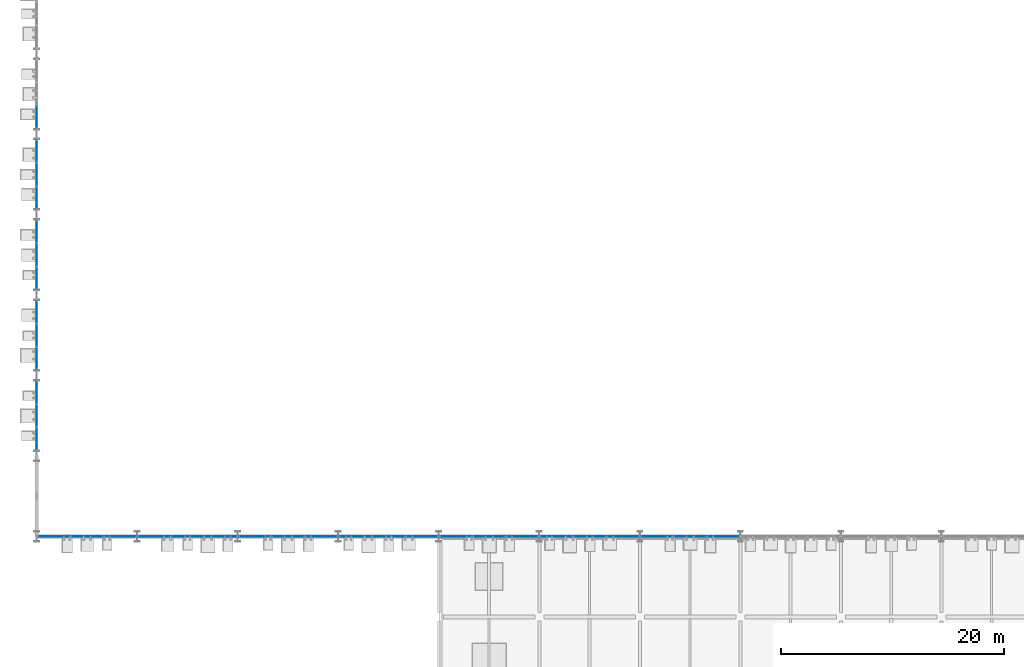
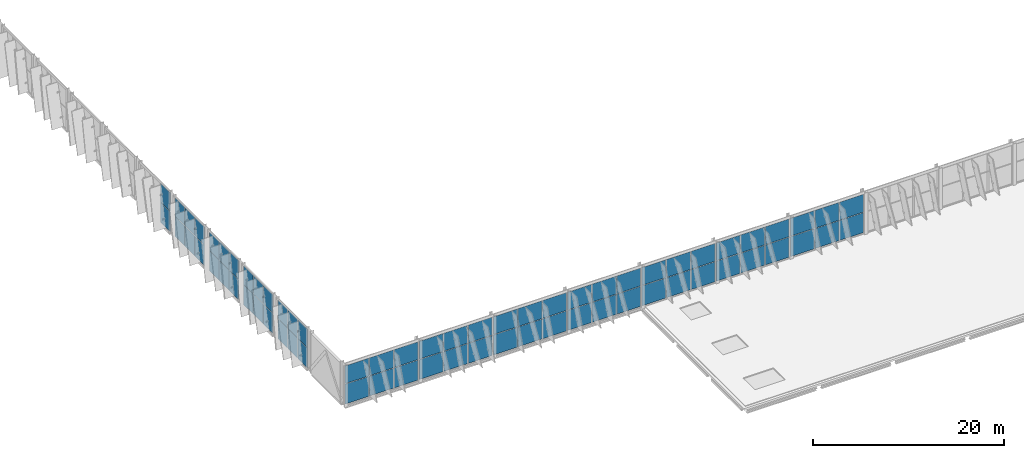
# One storey, part 112 of 189: 68 plates, 12 elements without a shape of their own.
"""IFC4 building model written with IfcOpenShell, lengths in metres."""

from ifc_helpers import new_model, si_unit, direction, frame, origin, origin_2d, place, context, subcontext, project, spatial, rectangle, extrude, material, layer, layer_set, type_object, element, aggregate, save


model = new_model("IFC4")

# Units and contexts
model_context = context("Model", 3, precision=1e-05, world=origin(), true_north=direction((0.0, 1.0)))
body_context = subcontext(model_context, "Body", "Model", "MODEL_VIEW")
ifc_project = project(units=[si_unit("LENGTHUNIT", "METRE"), si_unit("AREAUNIT", "SQUARE_METRE"), si_unit("VOLUMEUNIT", "CUBIC_METRE"), si_unit("PLANEANGLEUNIT", "RADIAN"), si_unit("MASSUNIT", "GRAM", prefix="KILO")], contexts=[model_context])

# Site, building, storey
site_placement = place(None, origin())
site = spatial("IfcSite", under=ifc_project, at=site_placement, CompositionType="ELEMENT")
building_placement = place(site_placement, origin())
building = spatial("IfcBuilding", under=site, at=building_placement, Name="Celestram Park Convention Centre", CompositionType="ELEMENT")
storey_placement = place(building_placement, frame((0.0, 0.0, 5.39990234375)))
storey = spatial("IfcBuildingStorey", under=building, at=storey_placement, Name="L01", CompositionType="ELEMENT", Elevation=5.39990234375)

# Curtain wall, plates
ifc_material_1 = material(Name="Anodised Aluminium Alloy 6063-T6", Category="aluminium")
ifc_layer_1 = layer(ifc_material_1, 0.179931640625)
ifc_layer_set_1 = layer_set([ifc_layer_1], Name="Anodised Aluminium Alloy 6063-T6")
curtain_wall_type_1 = type_object("IfcCurtainWallType", Name="ARC-CW-627X510", PredefinedType="NOTDEFINED", material=ifc_layer_set_1)
curtain_wall_1_placement = place(storey_placement, origin())
curtain_wall_1 = element("IfcCurtainWall", 1, at=curtain_wall_1_placement, inside=storey, type_object=curtain_wall_type_1, Name="Unitised curtain wall CU-L01-113", PredefinedType="NOTDEFINED")
ifc_material_2 = material(Name="Insulated Glazing Unit 28 mm", Category="glass")
ifc_layer_2 = layer(ifc_material_2, 0.028076171875)
ifc_layer_set_2 = layer_set([ifc_layer_2], Name="Insulated Glazing Unit 28 mm")
plate_type_1 = type_object("IfcPlateType", Name="ARC-CWP-IGU28", PredefinedType="CURTAIN_PANEL", material=ifc_layer_set_2)
plate_1_placement = place(storey_placement, frame((0.0, 30.32568359375, 0.06005859375), z_axis=(0.0, 0.0, 1.0), x_axis=(0.0, 1.0, 0.0)))
plate_1 = element("IfcPlate", 2, at=plate_1_placement, type_object=plate_type_1, Name="CW-62X51 panel 1.1", PredefinedType="CURTAIN_PANEL", context=body_context, shape_type="SweptSolid", body=[
    extrude(rectangle(XDim=1.9931640625, YDim=0.028076171875, at=origin_2d()), origin(), (0.0, 0.0, 1.0), 2.56005859375),
])
plate_2_placement = place(storey_placement, frame((0.0, 30.32568359375, 2.68017578125), z_axis=(0.0, 0.0, 1.0), x_axis=(0.0, 1.0, 0.0)))
plate_2 = element("IfcPlate", 3, at=plate_2_placement, type_object=plate_type_1, Name="CW-62X51 panel 1.2", PredefinedType="CURTAIN_PANEL", context=body_context, shape_type="SweptSolid", body=[
    extrude(rectangle(XDim=1.9931640625, YDim=0.028076171875, at=origin_2d()), origin(), (0.0, 0.0, 1.0), 2.360107421875),
])
plate_3_placement = place(storey_placement, frame((0.0, 32.39990234375, 0.06005859375), z_axis=(0.0, 0.0, 1.0), x_axis=(0.0, 1.0, 0.0)))
plate_3 = element("IfcPlate", 4, at=plate_3_placement, type_object=plate_type_1, Name="CW-62X51 panel 2.1", PredefinedType="CURTAIN_PANEL", context=body_context, shape_type="SweptSolid", body=[
    extrude(rectangle(XDim=2.025634765625, YDim=0.028076171875, at=origin_2d()), origin(), (0.0, 0.0, 1.0), 2.56005859375),
])
plate_4_placement = place(storey_placement, frame((0.0, 32.39990234375, 2.68017578125), z_axis=(0.0, 0.0, 1.0), x_axis=(0.0, 1.0, 0.0)))
plate_4 = element("IfcPlate", 5, at=plate_4_placement, type_object=plate_type_1, Name="CW-62X51 panel 2.2", PredefinedType="CURTAIN_PANEL", context=body_context, shape_type="SweptSolid", body=[
    extrude(rectangle(XDim=2.025634765625, YDim=0.028076171875, at=origin_2d()), origin(), (0.0, 0.0, 1.0), 2.360107421875),
])
plate_5_placement = place(storey_placement, frame((0.0, 34.474365234375, 0.06005859375), z_axis=(0.0, 0.0, 1.0), x_axis=(0.0, 1.0, 0.0)))
plate_5 = element("IfcPlate", 6, at=plate_5_placement, type_object=plate_type_1, Name="CW-62X51 panel 3.1", PredefinedType="CURTAIN_PANEL", context=body_context, shape_type="SweptSolid", body=[
    extrude(rectangle(XDim=1.9931640625, YDim=0.028076171875, at=origin_2d()), origin(), (0.0, 0.0, 1.0), 2.56005859375),
])
plate_6_placement = place(storey_placement, frame((0.0, 34.474365234375, 2.68017578125), z_axis=(0.0, 0.0, 1.0), x_axis=(0.0, 1.0, 0.0)))
plate_6 = element("IfcPlate", 7, at=plate_6_placement, type_object=plate_type_1, Name="CW-62X51 panel 3.2", PredefinedType="CURTAIN_PANEL", context=body_context, shape_type="SweptSolid", body=[
    extrude(rectangle(XDim=1.9931640625, YDim=0.028076171875, at=origin_2d()), origin(), (0.0, 0.0, 1.0), 2.360107421875),
])
aggregate(curtain_wall_1, [plate_1, plate_2, plate_3, plate_4, plate_5, plate_6])

curtain_wall_2_placement = place(storey_placement, origin())
curtain_wall_2 = element("IfcCurtainWall", 8, at=curtain_wall_2_placement, inside=storey, type_object=curtain_wall_type_1, Name="Unitised curtain wall CU-L01-114", PredefinedType="NOTDEFINED")
plate_7_placement = place(storey_placement, frame((0.0, 37.525634765625, 0.06005859375), z_axis=(0.0, 0.0, 1.0), x_axis=(0.0, 1.0, 0.0)))
plate_7 = element("IfcPlate", 9, at=plate_7_placement, type_object=plate_type_1, Name="CW-62X51 panel 1.1", PredefinedType="CURTAIN_PANEL", context=body_context, shape_type="SweptSolid", body=[
    extrude(rectangle(XDim=1.9931640625, YDim=0.028076171875, at=origin_2d()), origin(), (0.0, 0.0, 1.0), 2.56005859375),
])
plate_8_placement = place(storey_placement, frame((0.0, 37.525634765625, 2.68017578125), z_axis=(0.0, 0.0, 1.0), x_axis=(0.0, 1.0, 0.0)))
plate_8 = element("IfcPlate", 10, at=plate_8_placement, type_object=plate_type_1, Name="CW-62X51 panel 1.2", PredefinedType="CURTAIN_PANEL", context=body_context, shape_type="SweptSolid", body=[
    extrude(rectangle(XDim=1.9931640625, YDim=0.028076171875, at=origin_2d()), origin(), (0.0, 0.0, 1.0), 2.360107421875),
])
plate_9_placement = place(storey_placement, frame((0.0, 39.60009765625, 0.06005859375), z_axis=(0.0, 0.0, 1.0), x_axis=(0.0, 1.0, 0.0)))
plate_9 = element("IfcPlate", 11, at=plate_9_placement, type_object=plate_type_1, Name="CW-62X51 panel 2.1", PredefinedType="CURTAIN_PANEL", context=body_context, shape_type="SweptSolid", body=[
    extrude(rectangle(XDim=2.025634765625, YDim=0.028076171875, at=origin_2d()), origin(), (0.0, 0.0, 1.0), 2.56005859375),
])
plate_10_placement = place(storey_placement, frame((0.0, 39.60009765625, 2.68017578125), z_axis=(0.0, 0.0, 1.0), x_axis=(0.0, 1.0, 0.0)))
plate_10 = element("IfcPlate", 12, at=plate_10_placement, type_object=plate_type_1, Name="CW-62X51 panel 2.2", PredefinedType="CURTAIN_PANEL", context=body_context, shape_type="SweptSolid", body=[
    extrude(rectangle(XDim=2.025634765625, YDim=0.028076171875, at=origin_2d()), origin(), (0.0, 0.0, 1.0), 2.360107421875),
])
plate_11_placement = place(storey_placement, frame((0.0, 41.67431640625, 0.06005859375), z_axis=(0.0, 0.0, 1.0), x_axis=(0.0, 1.0, 0.0)))
plate_11 = element("IfcPlate", 13, at=plate_11_placement, type_object=plate_type_1, Name="CW-62X51 panel 3.1", PredefinedType="CURTAIN_PANEL", context=body_context, shape_type="SweptSolid", body=[
    extrude(rectangle(XDim=1.9931640625, YDim=0.028076171875, at=origin_2d()), origin(), (0.0, 0.0, 1.0), 2.56005859375),
])
plate_12_placement = place(storey_placement, frame((0.0, 41.67431640625, 2.68017578125), z_axis=(0.0, 0.0, 1.0), x_axis=(0.0, 1.0, 0.0)))
plate_12 = element("IfcPlate", 14, at=plate_12_placement, type_object=plate_type_1, Name="CW-62X51 panel 3.2", PredefinedType="CURTAIN_PANEL", context=body_context, shape_type="SweptSolid", body=[
    extrude(rectangle(XDim=1.9931640625, YDim=0.028076171875, at=origin_2d()), origin(), (0.0, 0.0, 1.0), 2.360107421875),
])
aggregate(curtain_wall_2, [plate_7, plate_8, plate_9, plate_10, plate_11, plate_12])

curtain_wall_3_placement = place(storey_placement, origin())
curtain_wall_3 = element("IfcCurtainWall", 15, at=curtain_wall_3_placement, inside=storey, type_object=curtain_wall_type_1, Name="Unitised curtain wall CU-L01-115", PredefinedType="NOTDEFINED")
plate_13_placement = place(storey_placement, frame((0.0, 44.7255859375, 0.06005859375), z_axis=(0.0, 0.0, 1.0), x_axis=(0.0, 1.0, 0.0)))
plate_13 = element("IfcPlate", 16, at=plate_13_placement, type_object=plate_type_1, Name="CW-62X51 panel 1.1", PredefinedType="CURTAIN_PANEL", context=body_context, shape_type="SweptSolid", body=[
    extrude(rectangle(XDim=1.9931640625, YDim=0.028076171875, at=origin_2d()), origin(), (0.0, 0.0, 1.0), 2.56005859375),
])
plate_14_placement = place(storey_placement, frame((0.0, 44.7255859375, 2.68017578125), z_axis=(0.0, 0.0, 1.0), x_axis=(0.0, 1.0, 0.0)))
plate_14 = element("IfcPlate", 17, at=plate_14_placement, type_object=plate_type_1, Name="CW-62X51 panel 1.2", PredefinedType="CURTAIN_PANEL", context=body_context, shape_type="SweptSolid", body=[
    extrude(rectangle(XDim=1.9931640625, YDim=0.028076171875, at=origin_2d()), origin(), (0.0, 0.0, 1.0), 2.360107421875),
])
plate_15_placement = place(storey_placement, frame((0.0, 46.800048828125, 0.06005859375), z_axis=(0.0, 0.0, 1.0), x_axis=(0.0, 1.0, 0.0)))
plate_15 = element("IfcPlate", 18, at=plate_15_placement, type_object=plate_type_1, Name="CW-62X51 panel 2.1", PredefinedType="CURTAIN_PANEL", context=body_context, shape_type="SweptSolid", body=[
    extrude(rectangle(XDim=2.025634765625, YDim=0.028076171875, at=origin_2d()), origin(), (0.0, 0.0, 1.0), 2.56005859375),
])
plate_16_placement = place(storey_placement, frame((0.0, 46.800048828125, 2.68017578125), z_axis=(0.0, 0.0, 1.0), x_axis=(0.0, 1.0, 0.0)))
plate_16 = element("IfcPlate", 19, at=plate_16_placement, type_object=plate_type_1, Name="CW-62X51 panel 2.2", PredefinedType="CURTAIN_PANEL", context=body_context, shape_type="SweptSolid", body=[
    extrude(rectangle(XDim=2.025634765625, YDim=0.028076171875, at=origin_2d()), origin(), (0.0, 0.0, 1.0), 2.360107421875),
])
plate_17_placement = place(storey_placement, frame((0.0, 48.87451171875, 0.06005859375), z_axis=(0.0, 0.0, 1.0), x_axis=(0.0, 1.0, 0.0)))
plate_17 = element("IfcPlate", 20, at=plate_17_placement, type_object=plate_type_1, Name="CW-62X51 panel 3.1", PredefinedType="CURTAIN_PANEL", context=body_context, shape_type="SweptSolid", body=[
    extrude(rectangle(XDim=1.9931640625, YDim=0.028076171875, at=origin_2d()), origin(), (0.0, 0.0, 1.0), 2.56005859375),
])
plate_18_placement = place(storey_placement, frame((0.0, 48.87451171875, 2.68017578125), z_axis=(0.0, 0.0, 1.0), x_axis=(0.0, 1.0, 0.0)))
plate_18 = element("IfcPlate", 21, at=plate_18_placement, type_object=plate_type_1, Name="CW-62X51 panel 3.2", PredefinedType="CURTAIN_PANEL", context=body_context, shape_type="SweptSolid", body=[
    extrude(rectangle(XDim=1.9931640625, YDim=0.028076171875, at=origin_2d()), origin(), (0.0, 0.0, 1.0), 2.360107421875),
])
aggregate(curtain_wall_3, [plate_13, plate_14, plate_15, plate_16, plate_17, plate_18])

curtain_wall_4_placement = place(storey_placement, origin())
curtain_wall_4 = element("IfcCurtainWall", 22, at=curtain_wall_4_placement, inside=storey, type_object=curtain_wall_type_1, Name="Unitised curtain wall CU-L01-116", PredefinedType="NOTDEFINED")
plate_19_placement = place(storey_placement, frame((0.0, 51.925537109375, 0.06005859375), z_axis=(0.0, 0.0, 1.0), x_axis=(0.0, 1.0, 0.0)))
plate_19 = element("IfcPlate", 23, at=plate_19_placement, type_object=plate_type_1, Name="CW-62X51 panel 1.1", PredefinedType="CURTAIN_PANEL", context=body_context, shape_type="SweptSolid", body=[
    extrude(rectangle(XDim=1.9931640625, YDim=0.028076171875, at=origin_2d()), origin(), (0.0, 0.0, 1.0), 2.56005859375),
])
plate_20_placement = place(storey_placement, frame((0.0, 51.925537109375, 2.68017578125), z_axis=(0.0, 0.0, 1.0), x_axis=(0.0, 1.0, 0.0)))
plate_20 = element("IfcPlate", 24, at=plate_20_placement, type_object=plate_type_1, Name="CW-62X51 panel 1.2", PredefinedType="CURTAIN_PANEL", context=body_context, shape_type="SweptSolid", body=[
    extrude(rectangle(XDim=1.9931640625, YDim=0.028076171875, at=origin_2d()), origin(), (0.0, 0.0, 1.0), 2.360107421875),
])
plate_21_placement = place(storey_placement, frame((0.0, 54.0, 0.06005859375), z_axis=(0.0, 0.0, 1.0), x_axis=(0.0, 1.0, 0.0)))
plate_21 = element("IfcPlate", 25, at=plate_21_placement, type_object=plate_type_1, Name="CW-62X51 panel 2.1", PredefinedType="CURTAIN_PANEL", context=body_context, shape_type="SweptSolid", body=[
    extrude(rectangle(XDim=2.025634765625, YDim=0.028076171875, at=origin_2d()), origin(), (0.0, 0.0, 1.0), 2.56005859375),
])
plate_22_placement = place(storey_placement, frame((0.0, 54.0, 2.68017578125), z_axis=(0.0, 0.0, 1.0), x_axis=(0.0, 1.0, 0.0)))
plate_22 = element("IfcPlate", 26, at=plate_22_placement, type_object=plate_type_1, Name="CW-62X51 panel 2.2", PredefinedType="CURTAIN_PANEL", context=body_context, shape_type="SweptSolid", body=[
    extrude(rectangle(XDim=2.025634765625, YDim=0.028076171875, at=origin_2d()), origin(), (0.0, 0.0, 1.0), 2.360107421875),
])
plate_23_placement = place(storey_placement, frame((0.0, 56.074462890625, 0.06005859375), z_axis=(0.0, 0.0, 1.0), x_axis=(0.0, 1.0, 0.0)))
plate_23 = element("IfcPlate", 27, at=plate_23_placement, type_object=plate_type_1, Name="CW-62X51 panel 3.1", PredefinedType="CURTAIN_PANEL", context=body_context, shape_type="SweptSolid", body=[
    extrude(rectangle(XDim=1.9931640625, YDim=0.028076171875, at=origin_2d()), origin(), (0.0, 0.0, 1.0), 2.56005859375),
])
plate_24_placement = place(storey_placement, frame((0.0, 56.074462890625, 2.68017578125), z_axis=(0.0, 0.0, 1.0), x_axis=(0.0, 1.0, 0.0)))
plate_24 = element("IfcPlate", 28, at=plate_24_placement, type_object=plate_type_1, Name="CW-62X51 panel 3.2", PredefinedType="CURTAIN_PANEL", context=body_context, shape_type="SweptSolid", body=[
    extrude(rectangle(XDim=1.9931640625, YDim=0.028076171875, at=origin_2d()), origin(), (0.0, 0.0, 1.0), 2.360107421875),
])
aggregate(curtain_wall_4, [plate_19, plate_20, plate_21, plate_22, plate_23, plate_24])

curtain_wall_5_placement = place(storey_placement, origin())
curtain_wall_5 = element("IfcCurtainWall", 29, at=curtain_wall_5_placement, inside=storey, type_object=curtain_wall_type_1, Name="Unitised curtain wall CU-L01-117", PredefinedType="NOTDEFINED")
plate_25_placement = place(storey_placement, frame((0.0, 59.12548828125, 0.06005859375), z_axis=(0.0, 0.0, 1.0), x_axis=(0.0, 1.0, 0.0)))
plate_25 = element("IfcPlate", 30, at=plate_25_placement, type_object=plate_type_1, Name="CW-62X51 panel 1.1", PredefinedType="CURTAIN_PANEL", context=body_context, shape_type="SweptSolid", body=[
    extrude(rectangle(XDim=1.9931640625, YDim=0.028076171875, at=origin_2d()), origin(), (0.0, 0.0, 1.0), 2.56005859375),
])
plate_26_placement = place(storey_placement, frame((0.0, 59.12548828125, 2.68017578125), z_axis=(0.0, 0.0, 1.0), x_axis=(0.0, 1.0, 0.0)))
plate_26 = element("IfcPlate", 31, at=plate_26_placement, type_object=plate_type_1, Name="CW-62X51 panel 1.2", PredefinedType="CURTAIN_PANEL", context=body_context, shape_type="SweptSolid", body=[
    extrude(rectangle(XDim=1.9931640625, YDim=0.028076171875, at=origin_2d()), origin(), (0.0, 0.0, 1.0), 2.360107421875),
])
aggregate(curtain_wall_5, [plate_25, plate_26])

ifc_layer_3 = layer(ifc_material_1, 0.179931640625)
ifc_layer_set_3 = layer_set([ifc_layer_3], Name="Anodised Aluminium Alloy 6063-T6")
curtain_wall_type_2 = type_object("IfcCurtainWallType", Name="ARC-CW-898X503", PredefinedType="NOTDEFINED", material=ifc_layer_set_3)
curtain_wall_6_placement = place(storey_placement, origin())
curtain_wall_6 = element("IfcCurtainWall", 32, at=curtain_wall_6_placement, inside=storey, type_object=curtain_wall_type_2, Name="Unitised curtain wall CU-L01-123", PredefinedType="NOTDEFINED")
ifc_material_3 = material(Name="Insulated Glazing Unit 38 mm", Category="glass")
ifc_layer_4 = layer(ifc_material_3, 0.0380859375)
ifc_layer_set_4 = layer_set([ifc_layer_4], Name="Insulated Glazing Unit 38 mm")
plate_type_2 = type_object("IfcPlateType", Name="ARC-CWP-IGU38", PredefinedType="CURTAIN_PANEL", material=ifc_layer_set_4)
plate_27_placement = place(storey_placement, frame((34.474609375, 21.60009765625, 0.06494140625), z_axis=(0.0, 0.0, 1.0), x_axis=(-1.0, 0.0, 0.0)))
plate_27 = element("IfcPlate", 33, at=plate_27_placement, type_object=plate_type_2, Name="CW-89X50 panel 1.1", PredefinedType="CURTAIN_PANEL", context=body_context, shape_type="SweptSolid", body=[
    extrude(rectangle(XDim=2.880859375, YDim=0.0380859375, at=origin_2d()), origin(), (0.0, 0.0, 1.0), 2.552490234375),
])
plate_28_placement = place(storey_placement, frame((34.474609375, 21.60009765625, 2.6826171875), z_axis=(0.0, 0.0, 1.0), x_axis=(-1.0, 0.0, 0.0)))
plate_28 = element("IfcPlate", 34, at=plate_28_placement, type_object=plate_type_2, Name="CW-89X50 panel 1.2", PredefinedType="CURTAIN_PANEL", context=body_context, shape_type="SweptSolid", body=[
    extrude(rectangle(XDim=2.880859375, YDim=0.0380859375, at=origin_2d()), origin(), (0.0, 0.0, 1.0), 2.279541015625),
])
plate_29_placement = place(storey_placement, frame((31.5, 21.60009765625, 0.06494140625), z_axis=(0.0, 0.0, 1.0), x_axis=(-1.0, 0.0, 0.0)))
plate_29 = element("IfcPlate", 35, at=plate_29_placement, type_object=plate_type_2, Name="CW-89X50 panel 2.1", PredefinedType="CURTAIN_PANEL", context=body_context, shape_type="SweptSolid", body=[
    extrude(rectangle(XDim=2.918212890625, YDim=0.0380859375, at=origin_2d()), origin(), (0.0, 0.0, 1.0), 2.552490234375),
])
plate_30_placement = place(storey_placement, frame((31.5, 21.60009765625, 2.6826171875), z_axis=(0.0, 0.0, 1.0), x_axis=(-1.0, 0.0, 0.0)))
plate_30 = element("IfcPlate", 36, at=plate_30_placement, type_object=plate_type_2, Name="CW-89X50 panel 2.2", PredefinedType="CURTAIN_PANEL", context=body_context, shape_type="SweptSolid", body=[
    extrude(rectangle(XDim=2.918212890625, YDim=0.0380859375, at=origin_2d()), origin(), (0.0, 0.0, 1.0), 2.279541015625),
])
plate_31_placement = place(storey_placement, frame((28.525390625, 21.60009765625, 0.06494140625), z_axis=(0.0, 0.0, 1.0), x_axis=(-1.0, 0.0, 0.0)))
plate_31 = element("IfcPlate", 37, at=plate_31_placement, type_object=plate_type_2, Name="CW-89X50 panel 3.1", PredefinedType="CURTAIN_PANEL", context=body_context, shape_type="SweptSolid", body=[
    extrude(rectangle(XDim=2.880859375, YDim=0.0380859375, at=origin_2d()), origin(), (0.0, 0.0, 1.0), 2.552490234375),
])
plate_32_placement = place(storey_placement, frame((28.525390625, 21.60009765625, 2.6826171875), z_axis=(0.0, 0.0, 1.0), x_axis=(-1.0, 0.0, 0.0)))
plate_32 = element("IfcPlate", 38, at=plate_32_placement, type_object=plate_type_2, Name="CW-89X50 panel 3.2", PredefinedType="CURTAIN_PANEL", context=body_context, shape_type="SweptSolid", body=[
    extrude(rectangle(XDim=2.880859375, YDim=0.0380859375, at=origin_2d()), origin(), (0.0, 0.0, 1.0), 2.279541015625),
])
aggregate(curtain_wall_6, [plate_27, plate_28, plate_29, plate_30, plate_31, plate_32])

curtain_wall_7_placement = place(storey_placement, origin())
curtain_wall_7 = element("IfcCurtainWall", 39, at=curtain_wall_7_placement, inside=storey, type_object=curtain_wall_type_2, Name="Unitised curtain wall CU-L01-124", PredefinedType="NOTDEFINED")
plate_33_placement = place(storey_placement, frame((25.474609375, 21.60009765625, 0.06494140625), z_axis=(0.0, 0.0, 1.0), x_axis=(-1.0, 0.0, 0.0)))
plate_33 = element("IfcPlate", 40, at=plate_33_placement, type_object=plate_type_2, Name="CW-89X50 panel 1.1", PredefinedType="CURTAIN_PANEL", context=body_context, shape_type="SweptSolid", body=[
    extrude(rectangle(XDim=2.880859375, YDim=0.0380859375, at=origin_2d()), origin(), (0.0, 0.0, 1.0), 2.552490234375),
])
plate_34_placement = place(storey_placement, frame((25.474609375, 21.60009765625, 2.6826171875), z_axis=(0.0, 0.0, 1.0), x_axis=(-1.0, 0.0, 0.0)))
plate_34 = element("IfcPlate", 41, at=plate_34_placement, type_object=plate_type_2, Name="CW-89X50 panel 1.2", PredefinedType="CURTAIN_PANEL", context=body_context, shape_type="SweptSolid", body=[
    extrude(rectangle(XDim=2.880859375, YDim=0.0380859375, at=origin_2d()), origin(), (0.0, 0.0, 1.0), 2.279541015625),
])
plate_35_placement = place(storey_placement, frame((22.5, 21.60009765625, 0.06494140625), z_axis=(0.0, 0.0, 1.0), x_axis=(-1.0, 0.0, 0.0)))
plate_35 = element("IfcPlate", 42, at=plate_35_placement, type_object=plate_type_2, Name="CW-89X50 panel 2.1", PredefinedType="CURTAIN_PANEL", context=body_context, shape_type="SweptSolid", body=[
    extrude(rectangle(XDim=2.918212890625, YDim=0.0380859375, at=origin_2d()), origin(), (0.0, 0.0, 1.0), 2.552490234375),
])
plate_36_placement = place(storey_placement, frame((22.5, 21.60009765625, 2.6826171875), z_axis=(0.0, 0.0, 1.0), x_axis=(-1.0, 0.0, 0.0)))
plate_36 = element("IfcPlate", 43, at=plate_36_placement, type_object=plate_type_2, Name="CW-89X50 panel 2.2", PredefinedType="CURTAIN_PANEL", context=body_context, shape_type="SweptSolid", body=[
    extrude(rectangle(XDim=2.918212890625, YDim=0.0380859375, at=origin_2d()), origin(), (0.0, 0.0, 1.0), 2.279541015625),
])
plate_37_placement = place(storey_placement, frame((19.525390625, 21.60009765625, 0.06494140625), z_axis=(0.0, 0.0, 1.0), x_axis=(-1.0, 0.0, 0.0)))
plate_37 = element("IfcPlate", 44, at=plate_37_placement, type_object=plate_type_2, Name="CW-89X50 panel 3.1", PredefinedType="CURTAIN_PANEL", context=body_context, shape_type="SweptSolid", body=[
    extrude(rectangle(XDim=2.880859375, YDim=0.0380859375, at=origin_2d()), origin(), (0.0, 0.0, 1.0), 2.552490234375),
])
plate_38_placement = place(storey_placement, frame((19.525390625, 21.60009765625, 2.6826171875), z_axis=(0.0, 0.0, 1.0), x_axis=(-1.0, 0.0, 0.0)))
plate_38 = element("IfcPlate", 45, at=plate_38_placement, type_object=plate_type_2, Name="CW-89X50 panel 3.2", PredefinedType="CURTAIN_PANEL", context=body_context, shape_type="SweptSolid", body=[
    extrude(rectangle(XDim=2.880859375, YDim=0.0380859375, at=origin_2d()), origin(), (0.0, 0.0, 1.0), 2.279541015625),
])
aggregate(curtain_wall_7, [plate_33, plate_34, plate_35, plate_36, plate_37, plate_38])

curtain_wall_8_placement = place(storey_placement, origin())
curtain_wall_8 = element("IfcCurtainWall", 46, at=curtain_wall_8_placement, inside=storey, type_object=curtain_wall_type_2, Name="Unitised curtain wall CU-L01-125", PredefinedType="NOTDEFINED")
plate_39_placement = place(storey_placement, frame((16.474609375, 21.60009765625, 0.06494140625), z_axis=(0.0, 0.0, 1.0), x_axis=(-1.0, 0.0, 0.0)))
plate_39 = element("IfcPlate", 47, at=plate_39_placement, type_object=plate_type_2, Name="CW-89X50 panel 1.1", PredefinedType="CURTAIN_PANEL", context=body_context, shape_type="SweptSolid", body=[
    extrude(rectangle(XDim=2.880859375, YDim=0.0380859375, at=origin_2d()), origin(), (0.0, 0.0, 1.0), 2.552490234375),
])
plate_40_placement = place(storey_placement, frame((16.474609375, 21.60009765625, 2.6826171875), z_axis=(0.0, 0.0, 1.0), x_axis=(-1.0, 0.0, 0.0)))
plate_40 = element("IfcPlate", 48, at=plate_40_placement, type_object=plate_type_2, Name="CW-89X50 panel 1.2", PredefinedType="CURTAIN_PANEL", context=body_context, shape_type="SweptSolid", body=[
    extrude(rectangle(XDim=2.880859375, YDim=0.0380859375, at=origin_2d()), origin(), (0.0, 0.0, 1.0), 2.279541015625),
])
plate_41_placement = place(storey_placement, frame((13.5, 21.60009765625, 0.06494140625), z_axis=(0.0, 0.0, 1.0), x_axis=(-1.0, 0.0, 0.0)))
plate_41 = element("IfcPlate", 49, at=plate_41_placement, type_object=plate_type_2, Name="CW-89X50 panel 2.1", PredefinedType="CURTAIN_PANEL", context=body_context, shape_type="SweptSolid", body=[
    extrude(rectangle(XDim=2.918212890625, YDim=0.0380859375, at=origin_2d()), origin(), (0.0, 0.0, 1.0), 2.552490234375),
])
plate_42_placement = place(storey_placement, frame((13.5, 21.60009765625, 2.6826171875), z_axis=(0.0, 0.0, 1.0), x_axis=(-1.0, 0.0, 0.0)))
plate_42 = element("IfcPlate", 50, at=plate_42_placement, type_object=plate_type_2, Name="CW-89X50 panel 2.2", PredefinedType="CURTAIN_PANEL", context=body_context, shape_type="SweptSolid", body=[
    extrude(rectangle(XDim=2.918212890625, YDim=0.0380859375, at=origin_2d()), origin(), (0.0, 0.0, 1.0), 2.279541015625),
])
plate_43_placement = place(storey_placement, frame((10.525390625, 21.60009765625, 0.06494140625), z_axis=(0.0, 0.0, 1.0), x_axis=(-1.0, 0.0, 0.0)))
plate_43 = element("IfcPlate", 51, at=plate_43_placement, type_object=plate_type_2, Name="CW-89X50 panel 3.1", PredefinedType="CURTAIN_PANEL", context=body_context, shape_type="SweptSolid", body=[
    extrude(rectangle(XDim=2.880859375, YDim=0.0380859375, at=origin_2d()), origin(), (0.0, 0.0, 1.0), 2.552490234375),
])
plate_44_placement = place(storey_placement, frame((10.525390625, 21.60009765625, 2.6826171875), z_axis=(0.0, 0.0, 1.0), x_axis=(-1.0, 0.0, 0.0)))
plate_44 = element("IfcPlate", 52, at=plate_44_placement, type_object=plate_type_2, Name="CW-89X50 panel 3.2", PredefinedType="CURTAIN_PANEL", context=body_context, shape_type="SweptSolid", body=[
    extrude(rectangle(XDim=2.880859375, YDim=0.0380859375, at=origin_2d()), origin(), (0.0, 0.0, 1.0), 2.279541015625),
])
aggregate(curtain_wall_8, [plate_39, plate_40, plate_41, plate_42, plate_43, plate_44])

curtain_wall_9_placement = place(storey_placement, origin())
curtain_wall_9 = element("IfcCurtainWall", 53, at=curtain_wall_9_placement, inside=storey, type_object=curtain_wall_type_2, Name="Unitised curtain wall CU-L01-126", PredefinedType="NOTDEFINED")
plate_45_placement = place(storey_placement, frame((7.474609375, 21.60009765625, 0.06494140625), z_axis=(0.0, 0.0, 1.0), x_axis=(-1.0, 0.0, 0.0)))
plate_45 = element("IfcPlate", 54, at=plate_45_placement, type_object=plate_type_2, Name="CW-89X50 panel 1.1", PredefinedType="CURTAIN_PANEL", context=body_context, shape_type="SweptSolid", body=[
    extrude(rectangle(XDim=2.880859375, YDim=0.0380859375, at=origin_2d()), origin(), (0.0, 0.0, 1.0), 2.552490234375),
])
plate_46_placement = place(storey_placement, frame((7.474609375, 21.60009765625, 2.6826171875), z_axis=(0.0, 0.0, 1.0), x_axis=(-1.0, 0.0, 0.0)))
plate_46 = element("IfcPlate", 55, at=plate_46_placement, type_object=plate_type_2, Name="CW-89X50 panel 1.2", PredefinedType="CURTAIN_PANEL", context=body_context, shape_type="SweptSolid", body=[
    extrude(rectangle(XDim=2.880859375, YDim=0.0380859375, at=origin_2d()), origin(), (0.0, 0.0, 1.0), 2.279541015625),
])
plate_47_placement = place(storey_placement, frame((4.5, 21.60009765625, 0.06494140625), z_axis=(0.0, 0.0, 1.0), x_axis=(-1.0, 0.0, 0.0)))
plate_47 = element("IfcPlate", 56, at=plate_47_placement, type_object=plate_type_2, Name="CW-89X50 panel 2.1", PredefinedType="CURTAIN_PANEL", context=body_context, shape_type="SweptSolid", body=[
    extrude(rectangle(XDim=2.918212890625, YDim=0.0380859375, at=origin_2d()), origin(), (0.0, 0.0, 1.0), 2.552490234375),
])
plate_48_placement = place(storey_placement, frame((4.5, 21.60009765625, 2.6826171875), z_axis=(0.0, 0.0, 1.0), x_axis=(-1.0, 0.0, 0.0)))
plate_48 = element("IfcPlate", 57, at=plate_48_placement, type_object=plate_type_2, Name="CW-89X50 panel 2.2", PredefinedType="CURTAIN_PANEL", context=body_context, shape_type="SweptSolid", body=[
    extrude(rectangle(XDim=2.918212890625, YDim=0.0380859375, at=origin_2d()), origin(), (0.0, 0.0, 1.0), 2.279541015625),
])
plate_49_placement = place(storey_placement, frame((1.525390625, 21.60009765625, 0.06494140625), z_axis=(0.0, 0.0, 1.0), x_axis=(-1.0, 0.0, 0.0)))
plate_49 = element("IfcPlate", 58, at=plate_49_placement, type_object=plate_type_2, Name="CW-89X50 panel 3.1", PredefinedType="CURTAIN_PANEL", context=body_context, shape_type="SweptSolid", body=[
    extrude(rectangle(XDim=2.880859375, YDim=0.0380859375, at=origin_2d()), origin(), (0.0, 0.0, 1.0), 2.552490234375),
])
plate_50_placement = place(storey_placement, frame((1.525390625, 21.60009765625, 2.6826171875), z_axis=(0.0, 0.0, 1.0), x_axis=(-1.0, 0.0, 0.0)))
plate_50 = element("IfcPlate", 59, at=plate_50_placement, type_object=plate_type_2, Name="CW-89X50 panel 3.2", PredefinedType="CURTAIN_PANEL", context=body_context, shape_type="SweptSolid", body=[
    extrude(rectangle(XDim=2.880859375, YDim=0.0380859375, at=origin_2d()), origin(), (0.0, 0.0, 1.0), 2.279541015625),
])
aggregate(curtain_wall_9, [plate_45, plate_46, plate_47, plate_48, plate_49, plate_50])

curtain_wall_10_placement = place(storey_placement, origin())
curtain_wall_10 = element("IfcCurtainWall", 60, at=curtain_wall_10_placement, inside=storey, type_object=curtain_wall_type_2, Name="Unitised curtain wall CU-L01-134", PredefinedType="NOTDEFINED")
plate_51_placement = place(storey_placement, frame((61.474609375, 21.60009765625, 0.06494140625), z_axis=(0.0, 0.0, 1.0), x_axis=(-1.0, 0.0, 0.0)))
plate_51 = element("IfcPlate", 61, at=plate_51_placement, type_object=plate_type_2, Name="CW-89X50 panel 1.1", PredefinedType="CURTAIN_PANEL", context=body_context, shape_type="SweptSolid", body=[
    extrude(rectangle(XDim=2.880859375, YDim=0.0380859375, at=origin_2d()), origin(), (0.0, 0.0, 1.0), 2.552490234375),
])
plate_52_placement = place(storey_placement, frame((61.474609375, 21.60009765625, 2.6826171875), z_axis=(0.0, 0.0, 1.0), x_axis=(-1.0, 0.0, 0.0)))
plate_52 = element("IfcPlate", 62, at=plate_52_placement, type_object=plate_type_2, Name="CW-89X50 panel 1.2", PredefinedType="CURTAIN_PANEL", context=body_context, shape_type="SweptSolid", body=[
    extrude(rectangle(XDim=2.880859375, YDim=0.0380859375, at=origin_2d()), origin(), (0.0, 0.0, 1.0), 2.279541015625),
])
plate_53_placement = place(storey_placement, frame((58.5, 21.60009765625, 0.06494140625), z_axis=(0.0, 0.0, 1.0), x_axis=(-1.0, 0.0, 0.0)))
plate_53 = element("IfcPlate", 63, at=plate_53_placement, type_object=plate_type_2, Name="CW-89X50 panel 2.1", PredefinedType="CURTAIN_PANEL", context=body_context, shape_type="SweptSolid", body=[
    extrude(rectangle(XDim=2.918212890625, YDim=0.0380859375, at=origin_2d()), origin(), (0.0, 0.0, 1.0), 2.552490234375),
])
plate_54_placement = place(storey_placement, frame((58.5, 21.60009765625, 2.6826171875), z_axis=(0.0, 0.0, 1.0), x_axis=(-1.0, 0.0, 0.0)))
plate_54 = element("IfcPlate", 64, at=plate_54_placement, type_object=plate_type_2, Name="CW-89X50 panel 2.2", PredefinedType="CURTAIN_PANEL", context=body_context, shape_type="SweptSolid", body=[
    extrude(rectangle(XDim=2.918212890625, YDim=0.0380859375, at=origin_2d()), origin(), (0.0, 0.0, 1.0), 2.279541015625),
])
plate_55_placement = place(storey_placement, frame((55.525390625, 21.60009765625, 0.06494140625), z_axis=(0.0, 0.0, 1.0), x_axis=(-1.0, 0.0, 0.0)))
plate_55 = element("IfcPlate", 65, at=plate_55_placement, type_object=plate_type_2, Name="CW-89X50 panel 3.1", PredefinedType="CURTAIN_PANEL", context=body_context, shape_type="SweptSolid", body=[
    extrude(rectangle(XDim=2.880859375, YDim=0.0380859375, at=origin_2d()), origin(), (0.0, 0.0, 1.0), 2.552490234375),
])
plate_56_placement = place(storey_placement, frame((55.525390625, 21.60009765625, 2.6826171875), z_axis=(0.0, 0.0, 1.0), x_axis=(-1.0, 0.0, 0.0)))
plate_56 = element("IfcPlate", 66, at=plate_56_placement, type_object=plate_type_2, Name="CW-89X50 panel 3.2", PredefinedType="CURTAIN_PANEL", context=body_context, shape_type="SweptSolid", body=[
    extrude(rectangle(XDim=2.880859375, YDim=0.0380859375, at=origin_2d()), origin(), (0.0, 0.0, 1.0), 2.279541015625),
])
aggregate(curtain_wall_10, [plate_51, plate_52, plate_53, plate_54, plate_55, plate_56])

curtain_wall_11_placement = place(storey_placement, origin())
curtain_wall_11 = element("IfcCurtainWall", 67, at=curtain_wall_11_placement, inside=storey, type_object=curtain_wall_type_2, Name="Unitised curtain wall CU-L01-135", PredefinedType="NOTDEFINED")
plate_57_placement = place(storey_placement, frame((52.474609375, 21.60009765625, 0.06494140625), z_axis=(0.0, 0.0, 1.0), x_axis=(-1.0, 0.0, 0.0)))
plate_57 = element("IfcPlate", 68, at=plate_57_placement, type_object=plate_type_2, Name="CW-89X50 panel 1.1", PredefinedType="CURTAIN_PANEL", context=body_context, shape_type="SweptSolid", body=[
    extrude(rectangle(XDim=2.880859375, YDim=0.0380859375, at=origin_2d()), origin(), (0.0, 0.0, 1.0), 2.552490234375),
])
plate_58_placement = place(storey_placement, frame((52.474609375, 21.60009765625, 2.6826171875), z_axis=(0.0, 0.0, 1.0), x_axis=(-1.0, 0.0, 0.0)))
plate_58 = element("IfcPlate", 69, at=plate_58_placement, type_object=plate_type_2, Name="CW-89X50 panel 1.2", PredefinedType="CURTAIN_PANEL", context=body_context, shape_type="SweptSolid", body=[
    extrude(rectangle(XDim=2.880859375, YDim=0.0380859375, at=origin_2d()), origin(), (0.0, 0.0, 1.0), 2.279541015625),
])
plate_59_placement = place(storey_placement, frame((49.5, 21.60009765625, 0.06494140625), z_axis=(0.0, 0.0, 1.0), x_axis=(-1.0, 0.0, 0.0)))
plate_59 = element("IfcPlate", 70, at=plate_59_placement, type_object=plate_type_2, Name="CW-89X50 panel 2.1", PredefinedType="CURTAIN_PANEL", context=body_context, shape_type="SweptSolid", body=[
    extrude(rectangle(XDim=2.918212890625, YDim=0.0380859375, at=origin_2d()), origin(), (0.0, 0.0, 1.0), 2.552490234375),
])
plate_60_placement = place(storey_placement, frame((49.5, 21.60009765625, 2.6826171875), z_axis=(0.0, 0.0, 1.0), x_axis=(-1.0, 0.0, 0.0)))
plate_60 = element("IfcPlate", 71, at=plate_60_placement, type_object=plate_type_2, Name="CW-89X50 panel 2.2", PredefinedType="CURTAIN_PANEL", context=body_context, shape_type="SweptSolid", body=[
    extrude(rectangle(XDim=2.918212890625, YDim=0.0380859375, at=origin_2d()), origin(), (0.0, 0.0, 1.0), 2.279541015625),
])
plate_61_placement = place(storey_placement, frame((46.525390625, 21.60009765625, 0.06494140625), z_axis=(0.0, 0.0, 1.0), x_axis=(-1.0, 0.0, 0.0)))
plate_61 = element("IfcPlate", 72, at=plate_61_placement, type_object=plate_type_2, Name="CW-89X50 panel 3.1", PredefinedType="CURTAIN_PANEL", context=body_context, shape_type="SweptSolid", body=[
    extrude(rectangle(XDim=2.880859375, YDim=0.0380859375, at=origin_2d()), origin(), (0.0, 0.0, 1.0), 2.552490234375),
])
plate_62_placement = place(storey_placement, frame((46.525390625, 21.60009765625, 2.6826171875), z_axis=(0.0, 0.0, 1.0), x_axis=(-1.0, 0.0, 0.0)))
plate_62 = element("IfcPlate", 73, at=plate_62_placement, type_object=plate_type_2, Name="CW-89X50 panel 3.2", PredefinedType="CURTAIN_PANEL", context=body_context, shape_type="SweptSolid", body=[
    extrude(rectangle(XDim=2.880859375, YDim=0.0380859375, at=origin_2d()), origin(), (0.0, 0.0, 1.0), 2.279541015625),
])
aggregate(curtain_wall_11, [plate_57, plate_58, plate_59, plate_60, plate_61, plate_62])

curtain_wall_12_placement = place(storey_placement, origin())
curtain_wall_12 = element("IfcCurtainWall", 74, at=curtain_wall_12_placement, inside=storey, type_object=curtain_wall_type_2, Name="Unitised curtain wall CU-L01-136", PredefinedType="NOTDEFINED")
plate_63_placement = place(storey_placement, frame((43.474609375, 21.60009765625, 0.06494140625), z_axis=(0.0, 0.0, 1.0), x_axis=(-1.0, 0.0, 0.0)))
plate_63 = element("IfcPlate", 75, at=plate_63_placement, type_object=plate_type_2, Name="CW-89X50 panel 1.1", PredefinedType="CURTAIN_PANEL", context=body_context, shape_type="SweptSolid", body=[
    extrude(rectangle(XDim=2.880859375, YDim=0.0380859375, at=origin_2d()), origin(), (0.0, 0.0, 1.0), 2.552490234375),
])
plate_64_placement = place(storey_placement, frame((43.474609375, 21.60009765625, 2.6826171875), z_axis=(0.0, 0.0, 1.0), x_axis=(-1.0, 0.0, 0.0)))
plate_64 = element("IfcPlate", 76, at=plate_64_placement, type_object=plate_type_2, Name="CW-89X50 panel 1.2", PredefinedType="CURTAIN_PANEL", context=body_context, shape_type="SweptSolid", body=[
    extrude(rectangle(XDim=2.880859375, YDim=0.0380859375, at=origin_2d()), origin(), (0.0, 0.0, 1.0), 2.279541015625),
])
plate_65_placement = place(storey_placement, frame((40.5, 21.60009765625, 0.06494140625), z_axis=(0.0, 0.0, 1.0), x_axis=(-1.0, 0.0, 0.0)))
plate_65 = element("IfcPlate", 77, at=plate_65_placement, type_object=plate_type_2, Name="CW-89X50 panel 2.1", PredefinedType="CURTAIN_PANEL", context=body_context, shape_type="SweptSolid", body=[
    extrude(rectangle(XDim=2.918212890625, YDim=0.0380859375, at=origin_2d()), origin(), (0.0, 0.0, 1.0), 2.552490234375),
])
plate_66_placement = place(storey_placement, frame((40.5, 21.60009765625, 2.6826171875), z_axis=(0.0, 0.0, 1.0), x_axis=(-1.0, 0.0, 0.0)))
plate_66 = element("IfcPlate", 78, at=plate_66_placement, type_object=plate_type_2, Name="CW-89X50 panel 2.2", PredefinedType="CURTAIN_PANEL", context=body_context, shape_type="SweptSolid", body=[
    extrude(rectangle(XDim=2.918212890625, YDim=0.0380859375, at=origin_2d()), origin(), (0.0, 0.0, 1.0), 2.279541015625),
])
plate_67_placement = place(storey_placement, frame((37.525390625, 21.60009765625, 0.06494140625), z_axis=(0.0, 0.0, 1.0), x_axis=(-1.0, 0.0, 0.0)))
plate_67 = element("IfcPlate", 79, at=plate_67_placement, type_object=plate_type_2, Name="CW-89X50 panel 3.1", PredefinedType="CURTAIN_PANEL", context=body_context, shape_type="SweptSolid", body=[
    extrude(rectangle(XDim=2.880859375, YDim=0.0380859375, at=origin_2d()), origin(), (0.0, 0.0, 1.0), 2.552490234375),
])
plate_68_placement = place(storey_placement, frame((37.525390625, 21.60009765625, 2.6826171875), z_axis=(0.0, 0.0, 1.0), x_axis=(-1.0, 0.0, 0.0)))
plate_68 = element("IfcPlate", 80, at=plate_68_placement, type_object=plate_type_2, Name="CW-89X50 panel 3.2", PredefinedType="CURTAIN_PANEL", context=body_context, shape_type="SweptSolid", body=[
    extrude(rectangle(XDim=2.880859375, YDim=0.0380859375, at=origin_2d()), origin(), (0.0, 0.0, 1.0), 2.279541015625),
])
aggregate(curtain_wall_12, [plate_63, plate_64, plate_65, plate_66, plate_67, plate_68])

save(model, "model.ifc")
